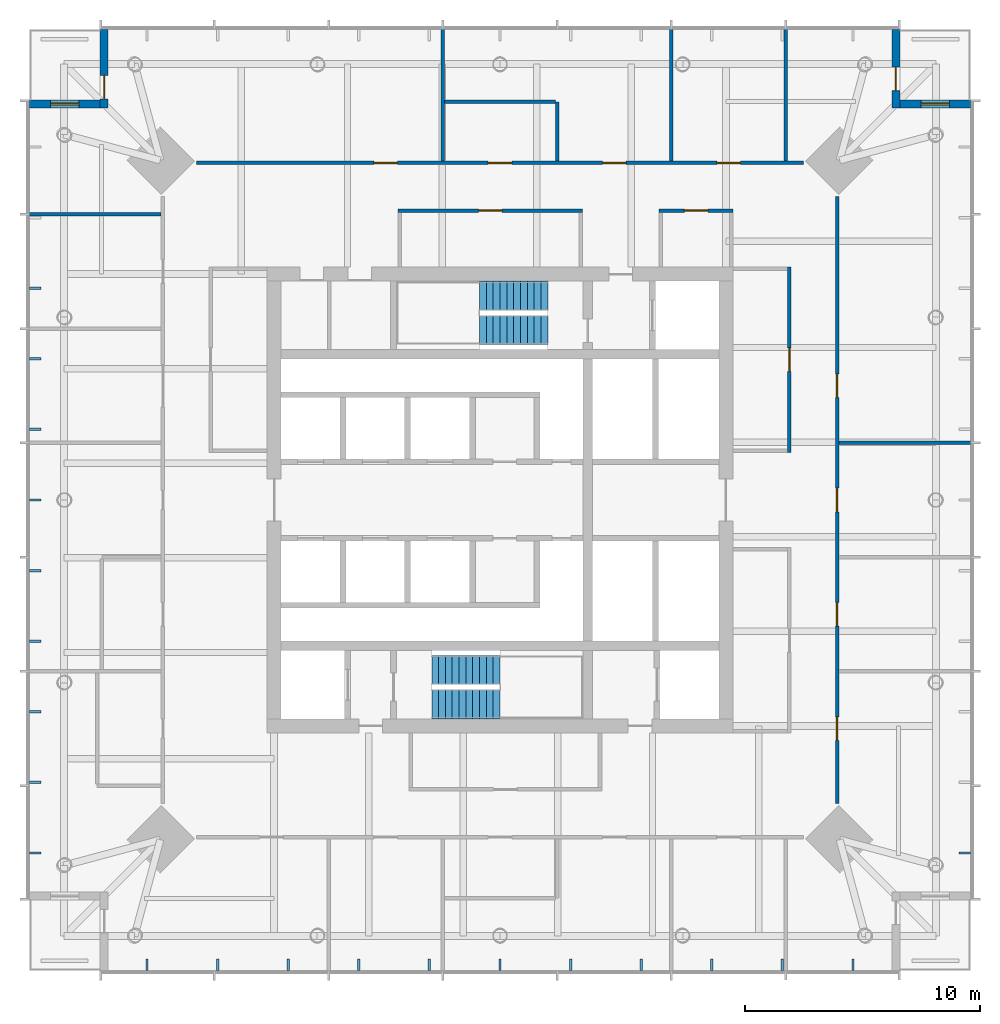
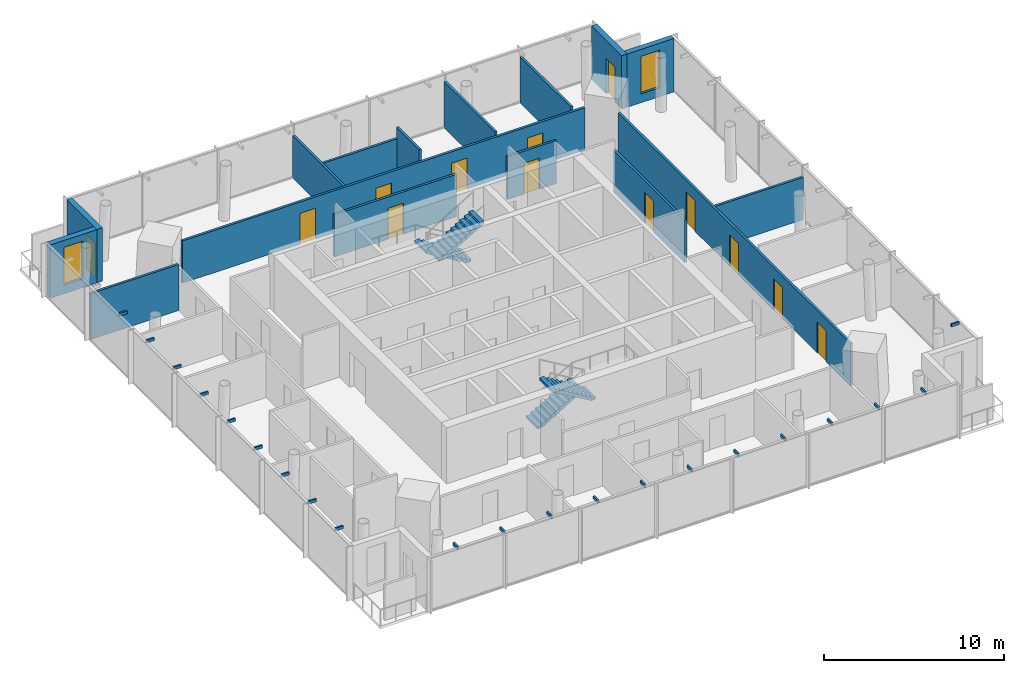
# One storey, part 7 of 9: 21 discrete accessories, 16 walls, 13 doors, 4 stair flights, 2 windows, 15 openings, 2 elements without a shape of their own.
"""IFC4 building model written with IfcOpenShell, lengths in metres."""

from ifc_helpers import new_model, si_unit, direction, frame, frame_2d, origin, origin_2d, place, context, subcontext, project, spatial, polyline, rectangle, outline, extrude, material, layer, layer_set, type_object, element, fill, aggregate, save


model = new_model("IFC4")

# Units and contexts
model_context = context("Model", 3, precision=1e-05, world=origin(), true_north=direction((0.0, 1.0)))
body_context = subcontext(model_context, "Body", "Model", "MODEL_VIEW")
ifc_project = project(units=[si_unit("LENGTHUNIT", "METRE"), si_unit("AREAUNIT", "SQUARE_METRE"), si_unit("VOLUMEUNIT", "CUBIC_METRE"), si_unit("PLANEANGLEUNIT", "RADIAN"), si_unit("MASSUNIT", "GRAM", prefix="KILO")], contexts=[model_context])

# Site, building, storey
site_placement = place(None, origin())
site = spatial("IfcSite", under=ifc_project, at=site_placement, CompositionType="ELEMENT")
building_placement = place(site_placement, origin())
building = spatial("IfcBuilding", under=site, at=building_placement, Name="Ostroluk Exchange", CompositionType="ELEMENT")
storey_placement = place(building_placement, frame((0.0, 0.0, 192.0)))
storey = spatial("IfcBuildingStorey", under=building, at=storey_placement, Name="L49", CompositionType="ELEMENT", Elevation=192.0)

# Wall, opening, door
ifc_material_1 = material(Name="Limestone", Category="masonry")
ifc_layer_1 = layer(ifc_material_1, 0.35009765625)
ifc_layer_set_1 = layer_set([ifc_layer_1], Name="Limestone facade wall 350")
wall_type_1 = type_object("IfcWallType", Name="Limestone facade wall 350", PredefinedType="SOLIDWALL", material=ifc_layer_set_1)
wall_1_placement = place(storey_placement, frame((61.824951171875, 66.0, 0.0), z_axis=(0.0, 0.0, 1.0), x_axis=(0.0, -1.0, 0.0)))
wall_1 = element("IfcWall", 1, at=wall_1_placement, inside=storey, type_object=wall_type_1, Name="Office tower NE corner wall L49 a", PredefinedType="SOLIDWALL", context=body_context, shape_type="SweptSolid", body=[
    extrude(rectangle(XDim=3.35009765625, YDim=0.35009765625, at=frame_2d((1.675048828125, 0.0))), origin(), (0.0, 0.0, 1.0), 3.6201171875),
])
opening_1_placement = place(wall_1_placement, frame((1.60009765625, 0.0, 0.0)))
opening_1 = element("IfcOpeningElement", 2, at=opening_1_placement, cuts=wall_1, Name="Opening D-B1", PredefinedType="OPENING", context=body_context, shape_type="SweptSolid", body=[
    extrude(rectangle(XDim=1.0, YDim=2.39990234375, at=frame_2d((0.5, 1.199951171875))), frame((0.0, 0.18505859375, 0.0), z_axis=(0.0, -1.0, 0.0), x_axis=(1.0, 0.0, 0.0)), (0.0, 0.0, 1.0), 0.3701171875),
])
ifc_material_2 = material(Name="Bronze framed glazed door", Category="aluminium")
door_type_1 = type_object("IfcDoorType", Name="Balcony door 1000 x 2400", OperationType="SINGLE_SWING_LEFT", PredefinedType="DOOR", material=ifc_material_2)
door_1_placement = place(opening_1_placement, origin())
door_1 = element("IfcDoor", 3, at=door_1_placement, inside=storey, type_object=door_type_1, Name="Office tower NE balcony door L49", OperationType="SINGLE_SWING_RIGHT", OverallHeight=2.39990234375, OverallWidth=1.0, PredefinedType="DOOR", context=body_context, shape_type="SweptSolid", body=[
    extrude(rectangle(XDim=1.0, YDim=2.39990234375, at=frame_2d((0.5, 1.199951171875))), frame((0.0, 0.02490234375, 0.0), z_axis=(0.0, -1.0, 0.0), x_axis=(1.0, 0.0, 0.0)), (0.0, 0.0, 1.0), 0.050048828125),
])
fill(opening_1, door_1)

# Wall, opening, window
wall_2_placement = place(storey_placement, frame((62.0, 62.824951171875, 0.0), z_axis=(0.0, 0.0, 1.0), x_axis=(1.0, 0.0, 0.0)))
wall_2 = element("IfcWall", 4, at=wall_2_placement, inside=storey, type_object=wall_type_1, Name="Office tower NE corner wall L49 b", PredefinedType="SOLIDWALL", context=body_context, shape_type="SweptSolid", body=[
    extrude(rectangle(XDim=3.0, YDim=0.35009765625, at=frame_2d((1.5, 0.0))), origin(), (0.0, 0.0, 1.0), 3.6201171875),
])
opening_2_placement = place(wall_2_placement, frame((0.89990234375, 0.0, 0.60009765625)))
opening_2 = element("IfcOpeningElement", 5, at=opening_2_placement, cuts=wall_2, Name="Opening WN-L1", PredefinedType="OPENING", context=body_context, shape_type="SweptSolid", body=[
    extrude(rectangle(XDim=1.199951171875, YDim=2.550048828125, at=frame_2d((0.60009765625, 1.27490234375))), frame((0.0, 0.18505859375, 0.0), z_axis=(0.0, -1.0, 0.0), x_axis=(1.0, 0.0, 0.0)), (0.0, 0.0, 1.0), 0.3701171875),
])
ifc_material_3 = material(Name="Laminated clear glass", Category="glass")
window_type = type_object("IfcWindowType", Name="Lancet window 1200 x 2550", PartitioningType="SINGLE_PANEL", PredefinedType="WINDOW", material=ifc_material_3)
window_1_placement = place(opening_2_placement, origin())
window_1 = element("IfcWindow", 6, at=window_1_placement, inside=storey, type_object=window_type, Name="Office tower NE lancet window L49", OverallHeight=2.550048828125, OverallWidth=1.199951171875, PartitioningType="SINGLE_PANEL", PredefinedType="WINDOW", context=body_context, shape_type="SweptSolid", body=[
    extrude(rectangle(XDim=1.199951171875, YDim=2.550048828125, at=frame_2d((0.60009765625, 1.27490234375))), frame((0.0, 0.030029296875, 0.0), z_axis=(0.0, -1.0, 0.0), x_axis=(1.0, 0.0, 0.0)), (0.0, 0.0, 1.0), 0.06005859375),
])
fill(opening_2, window_1)

# Wall, opening, door
wall_3_placement = place(storey_placement, frame((28.175048828125, 66.0, 0.0), z_axis=(0.0, 0.0, 1.0), x_axis=(0.0, -1.0, 0.0)))
wall_3 = element("IfcWall", 7, at=wall_3_placement, inside=storey, type_object=wall_type_1, Name="Office tower NW corner wall L49 a", PredefinedType="SOLIDWALL", context=body_context, shape_type="SweptSolid", body=[
    extrude(rectangle(XDim=3.35009765625, YDim=0.35009765625, at=frame_2d((1.675048828125, 0.0))), origin(), (0.0, 0.0, 1.0), 3.6201171875),
])
opening_3_placement = place(wall_3_placement, frame((1.949951171875, 0.0, 0.0)))
opening_3 = element("IfcOpeningElement", 8, at=opening_3_placement, cuts=wall_3, Name="Opening D-B1", PredefinedType="OPENING", context=body_context, shape_type="SweptSolid", body=[
    extrude(rectangle(XDim=1.0, YDim=2.39990234375, at=frame_2d((0.5, 1.199951171875))), frame((0.0, 0.18505859375, 0.0), z_axis=(0.0, -1.0, 0.0), x_axis=(1.0, 0.0, 0.0)), (0.0, 0.0, 1.0), 0.3701171875),
])
door_2_placement = place(opening_3_placement, origin())
door_2 = element("IfcDoor", 9, at=door_2_placement, inside=storey, type_object=door_type_1, Name="Office tower NW balcony door L49", OperationType="SINGLE_SWING_RIGHT", OverallHeight=2.39990234375, OverallWidth=1.0, PredefinedType="DOOR", context=body_context, shape_type="SweptSolid", body=[
    extrude(rectangle(XDim=1.0, YDim=2.39990234375, at=frame_2d((0.5, 1.199951171875))), frame((0.0, 0.02490234375, 0.0), z_axis=(0.0, -1.0, 0.0), x_axis=(1.0, 0.0, 0.0)), (0.0, 0.0, 1.0), 0.050048828125),
])
fill(opening_3, door_2)

# Wall, opening, window
wall_4_placement = place(storey_placement, frame((28.0, 62.824951171875, 0.0), z_axis=(0.0, 0.0, 1.0), x_axis=(-1.0, 0.0, 0.0)))
wall_4 = element("IfcWall", 10, at=wall_4_placement, inside=storey, type_object=wall_type_1, Name="Office tower NW corner wall L49 b", PredefinedType="SOLIDWALL", context=body_context, shape_type="SweptSolid", body=[
    extrude(rectangle(XDim=3.0, YDim=0.35009765625, at=frame_2d((1.5, 0.0))), origin(), (0.0, 0.0, 1.0), 3.6201171875),
])
opening_4_placement = place(wall_4_placement, frame((0.89990234375, 0.0, 0.60009765625)))
opening_4 = element("IfcOpeningElement", 11, at=opening_4_placement, cuts=wall_4, Name="Opening WN-L1", PredefinedType="OPENING", context=body_context, shape_type="SweptSolid", body=[
    extrude(rectangle(XDim=1.199951171875, YDim=2.550048828125, at=frame_2d((0.60009765625, 1.27490234375))), frame((0.0, 0.18505859375, 0.0), z_axis=(0.0, -1.0, 0.0), x_axis=(1.0, 0.0, 0.0)), (0.0, 0.0, 1.0), 0.3701171875),
])
window_2_placement = place(opening_4_placement, origin())
window_2 = element("IfcWindow", 12, at=window_2_placement, inside=storey, type_object=window_type, Name="Office tower NW lancet window L49", OverallHeight=2.550048828125, OverallWidth=1.199951171875, PartitioningType="SINGLE_PANEL", PredefinedType="WINDOW", context=body_context, shape_type="SweptSolid", body=[
    extrude(rectangle(XDim=1.199951171875, YDim=2.550048828125, at=frame_2d((0.60009765625, 1.27490234375))), frame((0.0, 0.030029296875, 0.0), z_axis=(0.0, -1.0, 0.0), x_axis=(1.0, 0.0, 0.0)), (0.0, 0.0, 1.0), 0.06005859375),
])
fill(opening_4, window_2)

# Wall, opening, door
ifc_material_4 = material(Name="Gypsum plasterboard partition", Category="gypsum")
ifc_layer_2 = layer(ifc_material_4, 0.14990234375)
ifc_layer_set_2 = layer_set([ifc_layer_2], Name="Plasterboard partition 150")
wall_type_2 = type_object("IfcWallType", Name="Plasterboard partition 150", PredefinedType="PARTITIONING", material=ifc_layer_set_2)
wall_5_placement = place(storey_placement, frame((57.300048828125, 48.02490234375, 0.0), z_axis=(0.0, 0.0, 1.0), x_axis=(0.0, 1.0, 0.0)))
wall_5 = element("IfcWall", 13, at=wall_5_placement, inside=storey, type_object=wall_type_2, Name="Partition", PredefinedType="PARTITIONING", context=body_context, shape_type="SweptSolid", body=[
    extrude(rectangle(XDim=7.875, YDim=0.14990234375, at=frame_2d((3.9375, 0.0))), origin(), (0.0, 0.0, 1.0), 2.866943359375),
])
opening_5_placement = place(wall_5_placement, frame((3.4375, 0.0, 0.0)))
opening_5 = element("IfcOpeningElement", 14, at=opening_5_placement, cuts=wall_5, Name="Opening D-03", PredefinedType="OPENING", context=body_context, shape_type="SweptSolid", body=[
    extrude(rectangle(XDim=1.0, YDim=2.10009765625, at=frame_2d((0.5, 1.050048828125))), frame((0.0, 0.0849609375, 0.0), z_axis=(0.0, -1.0, 0.0), x_axis=(1.0, 0.0, 0.0)), (0.0, 0.0, 1.0), 0.169921875),
])
ifc_material_5 = material(Name="Timber", Category="wood")
door_type_2 = type_object("IfcDoorType", Name="Internal door 1000 x 2100", OperationType="SINGLE_SWING_LEFT", PredefinedType="DOOR", material=ifc_material_5)
door_3_placement = place(opening_5_placement, origin())
door_3 = element("IfcDoor", 15, at=door_3_placement, inside=storey, type_object=door_type_2, Name="Tea point door", OperationType="SINGLE_SWING_LEFT", OverallHeight=2.10009765625, OverallWidth=1.0, PredefinedType="DOOR", context=body_context, shape_type="SweptSolid", body=[
    extrude(rectangle(XDim=1.0, YDim=2.10009765625, at=frame_2d((0.5, 1.050048828125))), frame((0.0, 0.02490234375, 0.0), z_axis=(0.0, -1.0, 0.0), x_axis=(1.0, 0.0, 0.0)), (0.0, 0.0, 1.0), 0.050048828125),
])
fill(opening_5, door_3)

wall_6_placement = place(storey_placement, frame((54.89990234375, 58.300048828125, 0.0), z_axis=(0.0, 0.0, 1.0), x_axis=(-1.0, 0.0, 0.0)))
wall_6 = element("IfcWall", 16, at=wall_6_placement, inside=storey, type_object=wall_type_2, Name="Partition", PredefinedType="PARTITIONING", context=body_context, shape_type="SweptSolid", body=[
    extrude(rectangle(XDim=3.135009765625, YDim=0.14990234375, at=frame_2d((1.5673828125, 0.0))), origin(), (0.0, 0.0, 1.0), 2.919921875),
])
opening_6_placement = place(wall_6_placement, frame((1.0673828125, 0.0, 0.0)))
opening_6 = element("IfcOpeningElement", 17, at=opening_6_placement, cuts=wall_6, Name="Opening D-03", PredefinedType="OPENING", context=body_context, shape_type="SweptSolid", body=[
    extrude(rectangle(XDim=1.0, YDim=2.10009765625, at=frame_2d((0.5, 1.050048828125))), frame((0.0, 0.0849609375, 0.0), z_axis=(0.0, -1.0, 0.0), x_axis=(1.0, 0.0, 0.0)), (0.0, 0.0, 1.0), 0.169921875),
])
door_4_placement = place(opening_6_placement, origin())
door_4 = element("IfcDoor", 18, at=door_4_placement, inside=storey, type_object=door_type_2, Name="Tea point door", OperationType="SINGLE_SWING_RIGHT", OverallHeight=2.10009765625, OverallWidth=1.0, PredefinedType="DOOR", context=body_context, shape_type="SweptSolid", body=[
    extrude(rectangle(XDim=1.0, YDim=2.10009765625, at=frame_2d((0.5, 1.050048828125))), frame((0.0, 0.02490234375, 0.0), z_axis=(0.0, -1.0, 0.0), x_axis=(1.0, 0.0, 0.0)), (0.0, 0.0, 1.0), 0.050048828125),
])
fill(opening_6, door_4)

wall_7_placement = place(storey_placement, frame((48.514892578125, 58.300048828125, 0.0), z_axis=(0.0, 0.0, 1.0), x_axis=(-1.0, 0.0, 0.0)))
wall_7 = element("IfcWall", 19, at=wall_7_placement, inside=storey, type_object=wall_type_2, Name="Partition", PredefinedType="PARTITIONING", context=body_context, shape_type="SweptSolid", body=[
    extrude(rectangle(XDim=7.841796875, YDim=0.14990234375, at=frame_2d((3.9208984375, 0.0))), origin(), (0.0, 0.0, 1.0), 2.866943359375),
])
opening_7_placement = place(wall_7_placement, frame((3.4208984375, 0.0, 0.0)))
opening_7 = element("IfcOpeningElement", 20, at=opening_7_placement, cuts=wall_7, Name="Opening D-03", PredefinedType="OPENING", context=body_context, shape_type="SweptSolid", body=[
    extrude(rectangle(XDim=1.0, YDim=2.10009765625, at=frame_2d((0.5, 1.050048828125))), frame((0.0, 0.0849609375, 0.0), z_axis=(0.0, -1.0, 0.0), x_axis=(1.0, 0.0, 0.0)), (0.0, 0.0, 1.0), 0.169921875),
])
door_5_placement = place(opening_7_placement, origin())
door_5 = element("IfcDoor", 21, at=door_5_placement, inside=storey, type_object=door_type_2, Name="Tea point door", OperationType="SINGLE_SWING_RIGHT", OverallHeight=2.10009765625, OverallWidth=1.0, PredefinedType="DOOR", context=body_context, shape_type="SweptSolid", body=[
    extrude(rectangle(XDim=1.0, YDim=2.10009765625, at=frame_2d((0.5, 1.050048828125))), frame((0.0, 0.02490234375, 0.0), z_axis=(0.0, -1.0, 0.0), x_axis=(1.0, 0.0, 0.0)), (0.0, 0.0, 1.0), 0.050048828125),
])
fill(opening_7, door_5)

# Wall, openings, doors
wall_8_placement = place(storey_placement, frame((59.324951171875, 33.099853515625, 0.0), z_axis=(0.0, 0.0, 1.0), x_axis=(0.0, 1.0, 0.0)))
wall_8 = element("IfcWall", 22, at=wall_8_placement, inside=storey, type_object=wall_type_2, Name="Partition", PredefinedType="PARTITIONING", context=body_context, shape_type="SweptSolid", body=[
    extrude(rectangle(XDim=25.80029296875, YDim=0.14990234375, at=frame_2d((12.900146484375, 0.0))), origin(), (0.0, 0.0, 1.0), 2.866943359375),
])
opening_8_placement = place(wall_8_placement, frame((2.685791015625, 0.0, 0.0)))
opening_8 = element("IfcOpeningElement", 23, at=opening_8_placement, cuts=wall_8, Name="Opening D-03", PredefinedType="OPENING", context=body_context, shape_type="SweptSolid", body=[
    extrude(rectangle(XDim=1.0, YDim=2.10009765625, at=frame_2d((0.5, 1.050048828125))), frame((0.0, 0.0849609375, 0.0), z_axis=(0.0, -1.0, 0.0), x_axis=(1.0, 0.0, 0.0)), (0.0, 0.0, 1.0), 0.169921875),
])
opening_9_placement = place(wall_8_placement, frame((7.54296875, 0.0, 0.0)))
opening_9 = element("IfcOpeningElement", 24, at=opening_9_placement, cuts=wall_8, Name="Opening D-03", PredefinedType="OPENING", context=body_context, shape_type="SweptSolid", body=[
    extrude(rectangle(XDim=1.0, YDim=2.10009765625, at=frame_2d((0.5, 1.050048828125))), frame((0.0, 0.0849609375, 0.0), z_axis=(0.0, -1.0, 0.0), x_axis=(1.0, 0.0, 0.0)), (0.0, 0.0, 1.0), 0.169921875),
])
opening_10_placement = place(wall_8_placement, frame((12.400146484375, 0.0, 0.0)))
opening_10 = element("IfcOpeningElement", 25, at=opening_10_placement, cuts=wall_8, Name="Opening D-03", PredefinedType="OPENING", context=body_context, shape_type="SweptSolid", body=[
    extrude(rectangle(XDim=1.0, YDim=2.10009765625, at=frame_2d((0.5, 1.050048828125))), frame((0.0, 0.0849609375, 0.0), z_axis=(0.0, -1.0, 0.0), x_axis=(1.0, 0.0, 0.0)), (0.0, 0.0, 1.0), 0.169921875),
])
opening_11_placement = place(wall_8_placement, frame((17.25732421875, 0.0, 0.0)))
opening_11 = element("IfcOpeningElement", 26, at=opening_11_placement, cuts=wall_8, Name="Opening D-03", PredefinedType="OPENING", context=body_context, shape_type="SweptSolid", body=[
    extrude(rectangle(XDim=1.0, YDim=2.10009765625, at=frame_2d((0.5, 1.050048828125))), frame((0.0, 0.0849609375, 0.0), z_axis=(0.0, -1.0, 0.0), x_axis=(1.0, 0.0, 0.0)), (0.0, 0.0, 1.0), 0.169921875),
])
door_6_placement = place(opening_8_placement, origin())
door_6 = element("IfcDoor", 27, at=door_6_placement, inside=storey, type_object=door_type_2, Name="Office suite door", OperationType="SINGLE_SWING_LEFT", OverallHeight=2.10009765625, OverallWidth=1.0, PredefinedType="DOOR", context=body_context, shape_type="SweptSolid", body=[
    extrude(rectangle(XDim=1.0, YDim=2.10009765625, at=frame_2d((0.5, 1.050048828125))), frame((0.0, 0.02490234375, 0.0), z_axis=(0.0, -1.0, 0.0), x_axis=(1.0, 0.0, 0.0)), (0.0, 0.0, 1.0), 0.050048828125),
])
fill(opening_8, door_6)
door_7_placement = place(opening_9_placement, origin())
door_7 = element("IfcDoor", 28, at=door_7_placement, inside=storey, type_object=door_type_2, Name="Office door", OperationType="SINGLE_SWING_LEFT", OverallHeight=2.10009765625, OverallWidth=1.0, PredefinedType="DOOR", context=body_context, shape_type="SweptSolid", body=[
    extrude(rectangle(XDim=1.0, YDim=2.10009765625, at=frame_2d((0.5, 1.050048828125))), frame((0.0, 0.02490234375, 0.0), z_axis=(0.0, -1.0, 0.0), x_axis=(1.0, 0.0, 0.0)), (0.0, 0.0, 1.0), 0.050048828125),
])
fill(opening_9, door_7)
door_8_placement = place(opening_10_placement, origin())
door_8 = element("IfcDoor", 29, at=door_8_placement, inside=storey, type_object=door_type_2, Name="Meeting room door", OperationType="SINGLE_SWING_LEFT", OverallHeight=2.10009765625, OverallWidth=1.0, PredefinedType="DOOR", context=body_context, shape_type="SweptSolid", body=[
    extrude(rectangle(XDim=1.0, YDim=2.10009765625, at=frame_2d((0.5, 1.050048828125))), frame((0.0, 0.02490234375, 0.0), z_axis=(0.0, -1.0, 0.0), x_axis=(1.0, 0.0, 0.0)), (0.0, 0.0, 1.0), 0.050048828125),
])
fill(opening_10, door_8)
door_9_placement = place(opening_11_placement, origin())
door_9 = element("IfcDoor", 30, at=door_9_placement, inside=storey, type_object=door_type_2, Name="Office door", OperationType="SINGLE_SWING_RIGHT", OverallHeight=2.10009765625, OverallWidth=1.0, PredefinedType="DOOR", context=body_context, shape_type="SweptSolid", body=[
    extrude(rectangle(XDim=1.0, YDim=2.10009765625, at=frame_2d((0.5, 1.050048828125))), frame((0.0, 0.02490234375, 0.0), z_axis=(0.0, -1.0, 0.0), x_axis=(1.0, 0.0, 0.0)), (0.0, 0.0, 1.0), 0.050048828125),
])
fill(opening_11, door_9)

# Walls
wall_9_placement = place(storey_placement, frame((59.39990234375, 48.428466796875, 0.0), z_axis=(0.0, 0.0, 1.0), x_axis=(1.0, 0.0, 0.0)))
element("IfcWall", 31, at=wall_9_placement, inside=storey, type_object=wall_type_2, Name="Partition", PredefinedType="PARTITIONING", context=body_context, shape_type="SweptSolid", body=[
    extrude(rectangle(XDim=5.64013671875, YDim=0.14990234375, at=frame_2d((2.820068359375, 0.0))), origin(), (0.0, 0.0, 1.0), 2.866943359375),
])
wall_10_placement = place(storey_placement, frame((47.353515625, 62.925048828125, 0.0), z_axis=(0.0, 0.0, 1.0), x_axis=(-1.0, 0.0, 0.0)))
element("IfcWall", 32, at=wall_10_placement, inside=storey, type_object=wall_type_2, Name="Partition", PredefinedType="PARTITIONING", context=body_context, shape_type="SweptSolid", body=[
    extrude(rectangle(XDim=4.70703125, YDim=0.14990234375, at=frame_2d((2.353515625, 0.0))), origin(), (0.0, 0.0, 1.0), 2.866943359375),
])

# Wall, openings, doors
wall_11_placement = place(storey_placement, frame((57.900146484375, 60.324951171875, 0.0), z_axis=(0.0, 0.0, 1.0), x_axis=(-1.0, 0.0, 0.0)))
wall_11 = element("IfcWall", 33, at=wall_11_placement, inside=storey, type_object=wall_type_2, Name="Partition", PredefinedType="PARTITIONING", context=body_context, shape_type="SweptSolid", body=[
    extrude(rectangle(XDim=25.80029296875, YDim=0.14990234375, at=frame_2d((12.900146484375, 0.0))), origin(), (0.0, 0.0, 1.0), 2.866943359375),
])
opening_12_placement = place(wall_11_placement, frame((2.685791015625, 0.0, 0.0)))
opening_12 = element("IfcOpeningElement", 34, at=opening_12_placement, cuts=wall_11, Name="Opening D-03", PredefinedType="OPENING", context=body_context, shape_type="SweptSolid", body=[
    extrude(rectangle(XDim=1.0, YDim=2.10009765625, at=frame_2d((0.5, 1.050048828125))), frame((0.0, 0.0849609375, 0.0), z_axis=(0.0, -1.0, 0.0), x_axis=(1.0, 0.0, 0.0)), (0.0, 0.0, 1.0), 0.169921875),
])
opening_13_placement = place(wall_11_placement, frame((7.54296875, 0.0, 0.0)))
opening_13 = element("IfcOpeningElement", 35, at=opening_13_placement, cuts=wall_11, Name="Opening D-03", PredefinedType="OPENING", context=body_context, shape_type="SweptSolid", body=[
    extrude(rectangle(XDim=1.0, YDim=2.10009765625, at=frame_2d((0.5, 1.050048828125))), frame((0.0, 0.0849609375, 0.0), z_axis=(0.0, -1.0, 0.0), x_axis=(1.0, 0.0, 0.0)), (0.0, 0.0, 1.0), 0.169921875),
])
opening_14_placement = place(wall_11_placement, frame((12.400146484375, 0.0, 0.0)))
opening_14 = element("IfcOpeningElement", 36, at=opening_14_placement, cuts=wall_11, Name="Opening D-03", PredefinedType="OPENING", context=body_context, shape_type="SweptSolid", body=[
    extrude(rectangle(XDim=1.0, YDim=2.10009765625, at=frame_2d((0.5, 1.050048828125))), frame((0.0, 0.0849609375, 0.0), z_axis=(0.0, -1.0, 0.0), x_axis=(1.0, 0.0, 0.0)), (0.0, 0.0, 1.0), 0.169921875),
])
opening_15_placement = place(wall_11_placement, frame((17.25732421875, 0.0, 0.0)))
opening_15 = element("IfcOpeningElement", 37, at=opening_15_placement, cuts=wall_11, Name="Opening D-03", PredefinedType="OPENING", context=body_context, shape_type="SweptSolid", body=[
    extrude(rectangle(XDim=1.0, YDim=2.10009765625, at=frame_2d((0.5, 1.050048828125))), frame((0.0, 0.0849609375, 0.0), z_axis=(0.0, -1.0, 0.0), x_axis=(1.0, 0.0, 0.0)), (0.0, 0.0, 1.0), 0.169921875),
])
door_10_placement = place(opening_12_placement, origin())
door_10 = element("IfcDoor", 38, at=door_10_placement, inside=storey, type_object=door_type_2, Name="Office door", OperationType="SINGLE_SWING_LEFT", OverallHeight=2.10009765625, OverallWidth=1.0, PredefinedType="DOOR", context=body_context, shape_type="SweptSolid", body=[
    extrude(rectangle(XDim=1.0, YDim=2.10009765625, at=frame_2d((0.5, 1.050048828125))), frame((0.0, 0.02490234375, 0.0), z_axis=(0.0, -1.0, 0.0), x_axis=(1.0, 0.0, 0.0)), (0.0, 0.0, 1.0), 0.050048828125),
])
fill(opening_12, door_10)
door_11_placement = place(opening_13_placement, origin())
door_11 = element("IfcDoor", 39, at=door_11_placement, inside=storey, type_object=door_type_2, Name="Office door", OperationType="SINGLE_SWING_LEFT", OverallHeight=2.10009765625, OverallWidth=1.0, PredefinedType="DOOR", context=body_context, shape_type="SweptSolid", body=[
    extrude(rectangle(XDim=1.0, YDim=2.10009765625, at=frame_2d((0.5, 1.050048828125))), frame((0.0, 0.02490234375, 0.0), z_axis=(0.0, -1.0, 0.0), x_axis=(1.0, 0.0, 0.0)), (0.0, 0.0, 1.0), 0.050048828125),
])
fill(opening_13, door_11)
door_12_placement = place(opening_14_placement, origin())
door_12 = element("IfcDoor", 40, at=door_12_placement, inside=storey, type_object=door_type_2, Name="Pantry door", OperationType="SINGLE_SWING_LEFT", OverallHeight=2.10009765625, OverallWidth=1.0, PredefinedType="DOOR", context=body_context, shape_type="SweptSolid", body=[
    extrude(rectangle(XDim=1.0, YDim=2.10009765625, at=frame_2d((0.5, 1.050048828125))), frame((0.0, 0.02490234375, 0.0), z_axis=(0.0, -1.0, 0.0), x_axis=(1.0, 0.0, 0.0)), (0.0, 0.0, 1.0), 0.050048828125),
])
fill(opening_14, door_12)
door_13_placement = place(opening_15_placement, origin())
door_13 = element("IfcDoor", 41, at=door_13_placement, inside=storey, type_object=door_type_2, Name="Office door", OperationType="SINGLE_SWING_RIGHT", OverallHeight=2.10009765625, OverallWidth=1.0, PredefinedType="DOOR", context=body_context, shape_type="SweptSolid", body=[
    extrude(rectangle(XDim=1.0, YDim=2.10009765625, at=frame_2d((0.5, 1.050048828125))), frame((0.0, 0.02490234375, 0.0), z_axis=(0.0, -1.0, 0.0), x_axis=(1.0, 0.0, 0.0)), (0.0, 0.0, 1.0), 0.050048828125),
])
fill(opening_15, door_13)

# Walls
for number, where, z_axis, x_axis, name in (
    (42, (57.142822265625, 60.39990234375, 0.0), (0.0, 0.0, 1.0), (0.0, 1.0, 0.0), "Partition"),
    (43, (52.28564453125, 60.39990234375, 0.0), (0.0, 0.0, 1.0), (0.0, 1.0, 0.0), "Partition"),
):
    element("IfcWall", number, at=place(storey_placement, frame(where, z_axis=z_axis, x_axis=x_axis)), inside=storey, type_object=wall_type_2, Name=name, PredefinedType="PARTITIONING", context=body_context, shape_type="SweptSolid", body=[
        extrude(rectangle(XDim=5.64013671875, YDim=0.14990234375, at=frame_2d((2.820068359375, 0.0))), origin(), (0.0, 0.0, 1.0), 3.1201171875),
    ])
wall_12_placement = place(storey_placement, frame((47.428466796875, 60.39990234375, 0.0), z_axis=(0.0, 0.0, 1.0), x_axis=(0.0, 1.0, 0.0)))
element("IfcWall", 44, at=wall_12_placement, inside=storey, type_object=wall_type_2, Name="Partition", PredefinedType="PARTITIONING", context=body_context, shape_type="SweptSolid", body=[
    extrude(rectangle(XDim=2.525146484375, YDim=0.14990234375, at=frame_2d((1.2626953125, 0.0))), origin(), (0.0, 0.0, 1.0), 3.6201171875),
])
wall_13_placement = place(storey_placement, frame((42.571533203125, 60.39990234375, 0.0), z_axis=(0.0, 0.0, 1.0), x_axis=(0.0, 1.0, 0.0)))
element("IfcWall", 45, at=wall_13_placement, inside=storey, type_object=wall_type_2, Name="Partition", PredefinedType="PARTITIONING", context=body_context, shape_type="SweptSolid", body=[
    extrude(rectangle(XDim=5.64013671875, YDim=0.14990234375, at=frame_2d((2.820068359375, 0.0))), origin(), (0.0, 0.0, 1.0), 2.866943359375),
])
wall_14_placement = place(storey_placement, frame((30.60009765625, 58.142822265625, 0.0), z_axis=(0.0, 0.0, 1.0), x_axis=(-1.0, 0.0, 0.0)))
element("IfcWall", 46, at=wall_14_placement, inside=storey, type_object=wall_type_2, Name="Partition", PredefinedType="PARTITIONING", context=body_context, shape_type="SweptSolid", body=[
    extrude(rectangle(XDim=5.64013671875, YDim=0.14990234375, at=frame_2d((2.820068359375, 0.0))), origin(), (0.0, 0.0, 1.0), 3.1201171875),
])

# Stair, stair flights
ifc_material_6 = material(Name="Concrete C30/37", Category="concrete")
stair_type = type_object("IfcStairType", Name="Exit stair half turn 3800", PredefinedType="HALF_TURN_STAIR", material=ifc_material_6)
stair_1_placement = place(storey_placement, origin())
stair_1 = element("IfcStair", 47, at=stair_1_placement, inside=storey, type_object=stair_type, Name="Stair T1-S1 L49", PredefinedType="HALF_TURN_STAIR")
ifc_material_7 = material(Name="Concrete C30/37", Category="concrete")
stair_flight_type = type_object("IfcStairFlightType", Name="Stair flight 11 risers 172.7 x 290", PredefinedType="STRAIGHT", material=ifc_material_7)
stair_flight_1_placement = place(storey_placement, frame((42.10009765625, 38.77490234375, 0.0), z_axis=(0.0, 0.0, 1.0), x_axis=(1.0, 0.0, 0.0)))
stair_flight_1 = element("IfcStairFlight", 48, at=stair_flight_1_placement, type_object=stair_flight_type, Name="T1-S1 flight 1", NumberOfRisers=11, NumberOfTreads=10, PredefinedType="STRAIGHT", RiserHeight=0.172727273, TreadLength=0.29, context=body_context, shape_type="SweptSolid", body=[
    extrude(outline(polyline([(0.0, 0.0), (0.0, 0.172607421875), (0.2900390625, 0.172607421875), (0.2900390625, 0.345458984375), (0.580078125, 0.345458984375), (0.580078125, 0.51806640625), (0.8701171875, 0.51806640625), (0.8701171875, 0.69091796875), (1.159912109375, 0.69091796875), (1.159912109375, 0.863525390625), (1.449951171875, 0.863525390625), (1.449951171875, 1.036376953125), (1.739990234375, 1.036376953125), (1.739990234375, 1.208984375), (2.030029296875, 1.208984375), (2.030029296875, 1.3818359375), (2.320068359375, 1.3818359375), (2.320068359375, 1.554443359375), (2.610107421875, 1.554443359375), (2.610107421875, 1.727294921875), (2.89990234375, 1.727294921875), (2.89990234375, 1.89990234375), (2.89990234375, 1.552734375), (0.29296875, 0.0), (0.0, 0.0)])), frame((0.0, 0.625, 0.0), z_axis=(0.0, -1.0, 0.0), x_axis=(1.0, 0.0, 0.0)), (0.0, 0.0, 1.0), 1.25),
])
stair_flight_2_placement = place(storey_placement, frame((45.0, 37.324951171875, 1.89990234375), z_axis=(0.0, 0.0, 1.0), x_axis=(-1.0, 0.0, 0.0)))
stair_flight_2 = element("IfcStairFlight", 49, at=stair_flight_2_placement, type_object=stair_flight_type, Name="T1-S1 flight 2", NumberOfRisers=11, NumberOfTreads=10, PredefinedType="STRAIGHT", RiserHeight=0.172727273, TreadLength=0.29, context=body_context, shape_type="SweptSolid", body=[
    extrude(outline(polyline([(0.0, 0.0), (0.0, 0.172607421875), (0.2900390625, 0.172607421875), (0.2900390625, 0.345458984375), (0.580078125, 0.345458984375), (0.580078125, 0.51806640625), (0.8701171875, 0.51806640625), (0.8701171875, 0.69091796875), (1.159912109375, 0.69091796875), (1.159912109375, 0.863525390625), (1.449951171875, 0.863525390625), (1.449951171875, 1.036376953125), (1.739990234375, 1.036376953125), (1.739990234375, 1.208984375), (2.030029296875, 1.208984375), (2.030029296875, 1.3818359375), (2.320068359375, 1.3818359375), (2.320068359375, 1.554443359375), (2.610107421875, 1.554443359375), (2.610107421875, 1.727294921875), (2.89990234375, 1.727294921875), (2.89990234375, 1.89990234375), (2.89990234375, 1.552734375), (0.29296875, 0.0), (0.0, 0.0)])), frame((0.0, 0.625, 0.0), z_axis=(0.0, -1.0, 0.0), x_axis=(1.0, 0.0, 0.0)), (0.0, 0.0, 1.0), 1.25),
])
aggregate(stair_1, [stair_flight_1, stair_flight_2])

stair_2_placement = place(storey_placement, origin())
stair_2 = element("IfcStair", 50, at=stair_2_placement, inside=storey, type_object=stair_type, Name="Stair T1-S2 L49", PredefinedType="HALF_TURN_STAIR")
stair_flight_3_placement = place(storey_placement, frame((47.030029296875, 54.675048828125, 0.0), z_axis=(0.0, 0.0, 1.0), x_axis=(-1.0, 0.0, 0.0)))
stair_flight_3 = element("IfcStairFlight", 51, at=stair_flight_3_placement, type_object=stair_flight_type, Name="T1-S2 flight 1", NumberOfRisers=11, NumberOfTreads=10, PredefinedType="STRAIGHT", RiserHeight=0.172727273, TreadLength=0.29, context=body_context, shape_type="SweptSolid", body=[
    extrude(outline(polyline([(0.0, 0.0), (0.0, 0.172607421875), (0.2900390625, 0.172607421875), (0.2900390625, 0.345458984375), (0.580078125, 0.345458984375), (0.580078125, 0.51806640625), (0.8701171875, 0.51806640625), (0.8701171875, 0.69091796875), (1.159912109375, 0.69091796875), (1.159912109375, 0.863525390625), (1.449951171875, 0.863525390625), (1.449951171875, 1.036376953125), (1.739990234375, 1.036376953125), (1.739990234375, 1.208984375), (2.030029296875, 1.208984375), (2.030029296875, 1.3818359375), (2.320068359375, 1.3818359375), (2.320068359375, 1.554443359375), (2.610107421875, 1.554443359375), (2.610107421875, 1.727294921875), (2.89990234375, 1.727294921875), (2.89990234375, 1.89990234375), (2.89990234375, 1.552734375), (0.29296875, 0.0), (0.0, 0.0)])), frame((0.0, 0.625, 0.0), z_axis=(0.0, -1.0, 0.0), x_axis=(1.0, 0.0, 0.0)), (0.0, 0.0, 1.0), 1.25),
])
stair_flight_4_placement = place(storey_placement, frame((44.1298828125, 53.22509765625, 1.89990234375), z_axis=(0.0, 0.0, 1.0), x_axis=(1.0, 0.0, 0.0)))
stair_flight_4 = element("IfcStairFlight", 52, at=stair_flight_4_placement, type_object=stair_flight_type, Name="T1-S2 flight 2", NumberOfRisers=11, NumberOfTreads=10, PredefinedType="STRAIGHT", RiserHeight=0.172727273, TreadLength=0.29, context=body_context, shape_type="SweptSolid", body=[
    extrude(outline(polyline([(0.0, 0.0), (0.0, 0.172607421875), (0.2900390625, 0.172607421875), (0.2900390625, 0.345458984375), (0.580078125, 0.345458984375), (0.580078125, 0.51806640625), (0.8701171875, 0.51806640625), (0.8701171875, 0.69091796875), (1.159912109375, 0.69091796875), (1.159912109375, 0.863525390625), (1.449951171875, 0.863525390625), (1.449951171875, 1.036376953125), (1.739990234375, 1.036376953125), (1.739990234375, 1.208984375), (2.030029296875, 1.208984375), (2.030029296875, 1.3818359375), (2.320068359375, 1.3818359375), (2.320068359375, 1.554443359375), (2.610107421875, 1.554443359375), (2.610107421875, 1.727294921875), (2.89990234375, 1.727294921875), (2.89990234375, 1.89990234375), (2.89990234375, 1.552734375), (0.29296875, 0.0), (0.0, 0.0)])), frame((0.0, 0.625, 0.0), z_axis=(0.0, -1.0, 0.0), x_axis=(1.0, 0.0, 0.0)), (0.0, 0.0, 1.0), 1.25),
])
aggregate(stair_2, [stair_flight_3, stair_flight_4])

# Discrete accessories
ifc_material_8 = material(Name="Steel S355", Category="steel")
discrete_accessory_type = type_object("IfcDiscreteAccessoryType", Name="Maintenance roof bracket", PredefinedType="BRACKET", material=ifc_material_8)
for number, where, z_axis, x_axis, name in (
    (53, (30.0, 26.25, 3.4501953125), (0.0, 0.0, 1.0), (1.0, 0.0, 0.0), "Maintenance roof bracket L50 south 1"),
    (54, (33.0, 26.25, 3.4501953125), (0.0, 0.0, 1.0), (1.0, 0.0, 0.0), "Maintenance roof bracket L50 south 2"),
    (55, (36.0, 26.25, 3.4501953125), (0.0, 0.0, 1.0), (1.0, 0.0, 0.0), "Maintenance roof bracket L50 south 3"),
    (56, (39.0, 26.25, 3.4501953125), (0.0, 0.0, 1.0), (1.0, 0.0, 0.0), "Maintenance roof bracket L50 south 4"),
    (57, (42.0, 26.25, 3.4501953125), (0.0, 0.0, 1.0), (1.0, 0.0, 0.0), "Maintenance roof bracket L50 south 5"),
    (58, (45.0, 26.25, 3.4501953125), (0.0, 0.0, 1.0), (1.0, 0.0, 0.0), "Maintenance roof bracket L50 south 6"),
    (59, (48.0, 26.25, 3.4501953125), (0.0, 0.0, 1.0), (1.0, 0.0, 0.0), "Maintenance roof bracket L50 south 7"),
    (60, (51.0, 26.25, 3.4501953125), (0.0, 0.0, 1.0), (1.0, 0.0, 0.0), "Maintenance roof bracket L50 south 8"),
    (61, (54.0, 26.25, 3.4501953125), (0.0, 0.0, 1.0), (1.0, 0.0, 0.0), "Maintenance roof bracket L50 south 9"),
    (62, (57.0, 26.25, 3.4501953125), (0.0, 0.0, 1.0), (1.0, 0.0, 0.0), "Maintenance roof bracket L50 south 10"),
    (63, (60.0, 26.25, 3.4501953125), (0.0, 0.0, 1.0), (1.0, 0.0, 0.0), "Maintenance roof bracket L50 south 11"),
):
    element("IfcDiscreteAccessory", number, at=place(storey_placement, frame(where, z_axis=z_axis, x_axis=x_axis)), inside=storey, type_object=discrete_accessory_type, Name=name, PredefinedType="BRACKET", context=body_context, shape_type="SweptSolid", body=[
        extrude(rectangle(XDim=0.10009765625, YDim=0.5, at=origin_2d()), origin(), (0.0, 0.0, 1.0), 0.199951171875),
    ])
for number, where, z_axis, x_axis, name in (
    (64, (64.75, 31.0, 3.4501953125), (0.0, 0.0, 1.0), (1.0, 0.0, 0.0), "Maintenance roof bracket L50 east 1"),
    (65, (25.25, 31.0, 3.4501953125), (0.0, 0.0, 1.0), (1.0, 0.0, 0.0), "Maintenance roof bracket L50 west 1"),
    (66, (25.25, 34.0, 3.4501953125), (0.0, 0.0, 1.0), (1.0, 0.0, 0.0), "Maintenance roof bracket L50 west 2"),
    (67, (25.25, 37.0, 3.4501953125), (0.0, 0.0, 1.0), (1.0, 0.0, 0.0), "Maintenance roof bracket L50 west 3"),
    (68, (25.25, 40.0, 3.4501953125), (0.0, 0.0, 1.0), (1.0, 0.0, 0.0), "Maintenance roof bracket L50 west 4"),
    (69, (25.25, 43.0, 3.4501953125), (0.0, 0.0, 1.0), (1.0, 0.0, 0.0), "Maintenance roof bracket L50 west 5"),
    (70, (25.25, 46.0, 3.4501953125), (0.0, 0.0, 1.0), (1.0, 0.0, 0.0), "Maintenance roof bracket L50 west 6"),
    (71, (25.25, 49.0, 3.4501953125), (0.0, 0.0, 1.0), (1.0, 0.0, 0.0), "Maintenance roof bracket L50 west 7"),
    (72, (25.25, 52.0, 3.4501953125), (0.0, 0.0, 1.0), (1.0, 0.0, 0.0), "Maintenance roof bracket L50 west 8"),
    (73, (25.25, 55.0, 3.4501953125), (0.0, 0.0, 1.0), (1.0, 0.0, 0.0), "Maintenance roof bracket L50 west 9"),
):
    element("IfcDiscreteAccessory", number, at=place(storey_placement, frame(where, z_axis=z_axis, x_axis=x_axis)), inside=storey, type_object=discrete_accessory_type, Name=name, PredefinedType="BRACKET", context=body_context, shape_type="SweptSolid", body=[
        extrude(rectangle(XDim=0.5, YDim=0.10009765625, at=origin_2d()), origin(), (0.0, 0.0, 1.0), 0.199951171875),
    ])

save(model, "model.ifc")
